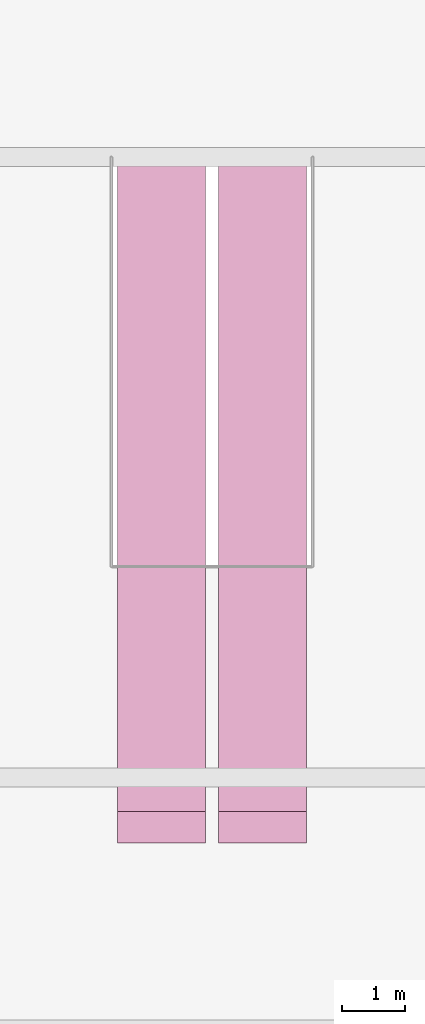
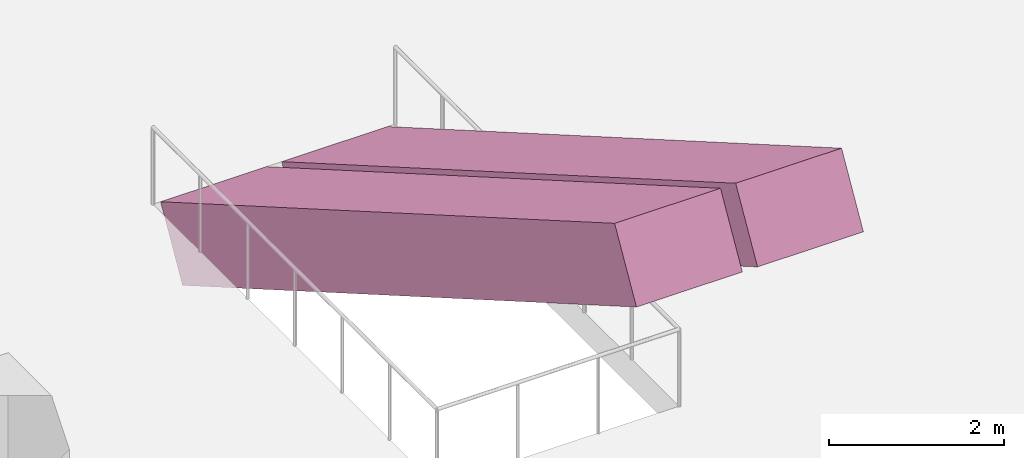
# One storey, part 25 of 25: 2 transport elements.
"""IFC4 building model written with IfcOpenShell, lengths in metres."""

from ifc_helpers import new_model, si_unit, direction, frame, origin, place, context, subcontext, project, spatial, polyline, outline, extrude, material, type_object, element, save


model = new_model("IFC4")

# Units and contexts
model_context = context("Model", 3, precision=1e-05, world=origin(), true_north=direction((0.0, 1.0)))
body_context = subcontext(model_context, "Body", "Model", "MODEL_VIEW")
ifc_project = project(units=[si_unit("LENGTHUNIT", "METRE"), si_unit("AREAUNIT", "SQUARE_METRE"), si_unit("VOLUMEUNIT", "CUBIC_METRE"), si_unit("PLANEANGLEUNIT", "RADIAN"), si_unit("MASSUNIT", "GRAM", prefix="KILO")], contexts=[model_context])

# Site, building, storey
site_placement = place(None, origin())
site = spatial("IfcSite", under=ifc_project, at=site_placement, CompositionType="ELEMENT")
building_placement = place(site_placement, origin())
building = spatial("IfcBuilding", under=site, at=building_placement, Name="Tel Ilan Convention Tower", CompositionType="ELEMENT")
storey_placement = place(building_placement, frame((0.0, 0.0, 26.0)))
storey = spatial("IfcBuildingStorey", under=building, at=storey_placement, Name="L03", CompositionType="ELEMENT", Elevation=26.0)

# Transport elements
ifc_material = material(Name="Stainless Steel Grade 316", Category="steel")
transport_element_type = type_object("IfcTransportElementType", Name="Escalator 1000 mm 30 degree", PredefinedType="ESCALATOR", material=ifc_material)
for number, where, z_axis, x_axis, name in (
    (1, (-1.5, -38.1435546875, 0.0), (0.0, 0.49999894854, 0.866026010844), (1.0, 0.0, 0.0), "Escalator L03 to L04 up"),
    (2, (0.10009765625, -38.1435546875, 0.0), (0.0, 0.49999894854, 0.866026010844), (1.0, 0.0, 0.0), "Escalator L03 to L04 down"),
):
    element("IfcTransportElement", number, at=place(storey_placement, frame(where, z_axis=z_axis, x_axis=x_axis)), inside=storey, type_object=transport_element_type, Name=name, PredefinedType="ESCALATOR", context=body_context, shape_type="SweptSolid", body=[
        extrude(outline(polyline([(0.0, 0.0), (1.39990234375, 0.0), (1.39990234375, -12.000025235089947), (0.0, -12.000025235089947), (0.0, 0.0)])), origin(), (0.0, 0.0, -1.0), 1.0),
    ])

save(model, "model.ifc")
